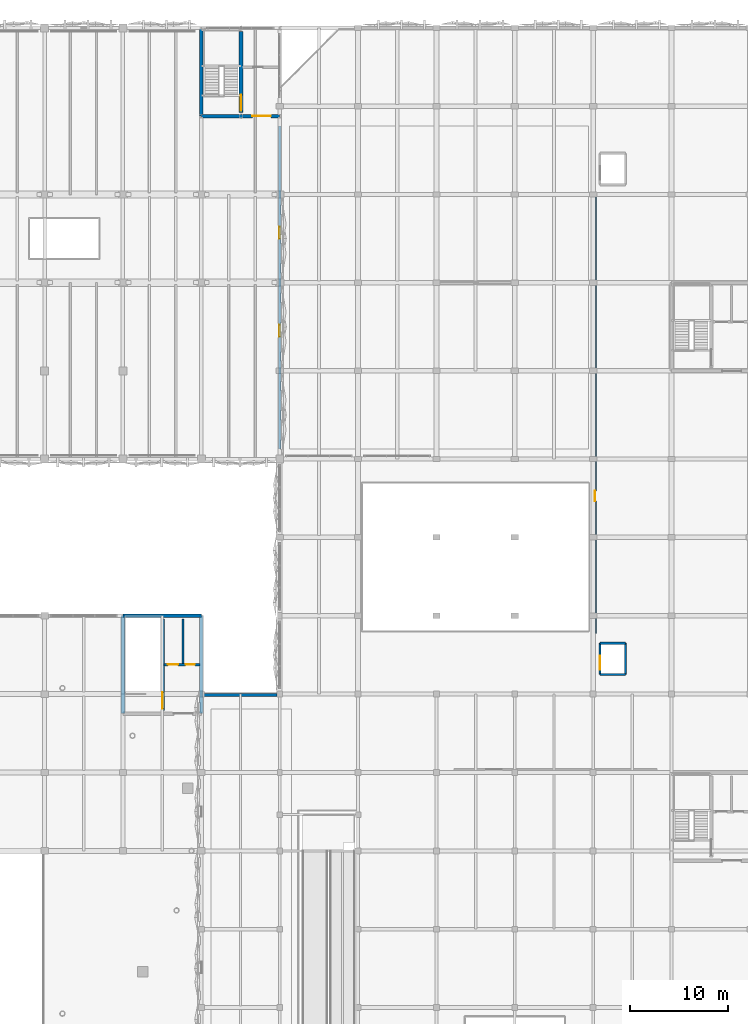
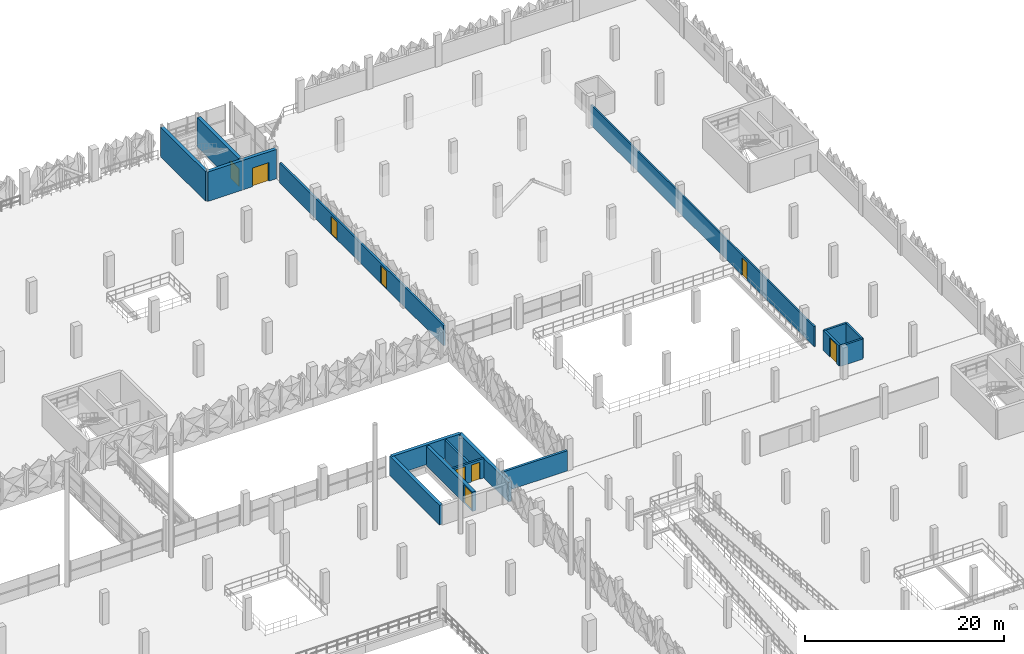
# One storey, part 78 of 123: 16 walls, 9 doors, 9 openings.
"""IFC4 building model written with IfcOpenShell, lengths in metres."""

import ifcopenshell
import ifcopenshell.guid

model = None  # the IFC model being written
_history = None  # IfcOwnerHistory: only IFC2X3 demands one
_inside = {}  # id of a spatial element -> (the spatial element, [elements in it])
_under = {}  # id of a project, library or spatial element -> (it, [spatial elements below it])
_declared = {}  # id of a project -> (the project, [libraries it declares])
_typed = {}  # id of a type object -> (the type object, [elements of that type])
_made_of = {}  # id of a material, layer set ... -> (it, [elements and type objects made of it])


def new_model(schema):
    """Start an empty IFC model of exactly this schema.

    Asked for "IFC4X3", IfcOpenShell would pick the latest addendum, in which some entities
    have other attributes; the version numbers below select the first issue.
    IFC2X3 requires an IfcOwnerHistory on every rooted entity: one is made here for all.
    """
    global model, _history
    if schema == "IFC4X3":
        model = ifcopenshell.file(schema_version=(4, 3, 0, 0))
    else:
        model = ifcopenshell.file(schema=schema)
    _inside.clear()
    _under.clear()
    _declared.clear()
    _typed.clear()
    _made_of.clear()
    _history = None
    if model.schema == "IFC2X3":
        org = make("IfcOrganization", Name="unknown")
        user = make(
            "IfcPersonAndOrganization",
            ThePerson=make("IfcPerson", FamilyName="unknown"),
            TheOrganization=org,
        )
        app = make(
            "IfcApplication",
            ApplicationDeveloper=org,
            Version="unknown",
            ApplicationFullName="unknown",
            ApplicationIdentifier="unknown",
        )
        _history = make(
            "IfcOwnerHistory",
            OwningUser=user,
            OwningApplication=app,
            ChangeAction="ADDED",
            CreationDate=0,
        )
    return model


def make(cls, **values):
    """One entity of the class cls with the attributes given. An attribute that is None is left unset."""
    return model.create_entity(
        cls, **{name: value for name, value in values.items() if value is not None}
    )


def rooted(cls, **values):
    """An entity with a GlobalId (a new one), such as an element, a storey or a relation."""
    return make(cls, GlobalId=ifcopenshell.guid.new(), OwnerHistory=_history, **values)


def si_unit(unit_type, name, prefix=None):
    """IfcSIUnit, for example si_unit("LENGTHUNIT", "METRE", prefix="MILLI")."""
    return make("IfcSIUnit", UnitType=unit_type, Prefix=prefix, Name=name)


def derived_unit(unit_type, elements):
    """IfcDerivedUnit: a product of units, each with its exponent."""
    return make(
        "IfcDerivedUnit",
        Elements=[
            make("IfcDerivedUnitElement", Unit=unit, Exponent=power)
            for unit, power in elements
        ],
        UnitType=unit_type,
    )


def assignment(units):
    """IfcUnitAssignment: the units of a project."""
    return None if units is None else make("IfcUnitAssignment", Units=units)


def point(xyz):
    """IfcCartesianPoint."""
    return None if xyz is None else make("IfcCartesianPoint", Coordinates=xyz)


def direction(xyz):
    """IfcDirection."""
    return None if xyz is None else make("IfcDirection", DirectionRatios=xyz)


def frame(location, z_axis=None, x_axis=None):
    """IfcAxis2Placement3D, a coordinate frame: its origin and axes. An axis left out is left unset."""
    return make(
        "IfcAxis2Placement3D",
        Location=point(location),
        Axis=direction(z_axis),
        RefDirection=direction(x_axis),
    )


def frame_2d(location, x_axis=None):
    """IfcAxis2Placement2D, a coordinate frame in the plane: its origin and x axis."""
    return make(
        "IfcAxis2Placement2D", Location=point(location), RefDirection=direction(x_axis)
    )


def origin():
    """The frame at (0, 0, 0) with its axes left unset."""
    return frame((0.0, 0.0, 0.0))


def place(relative_to, where):
    """IfcLocalPlacement: puts the frame where relative to a parent placement (None: the world)."""
    return make(
        "IfcLocalPlacement", PlacementRelTo=relative_to, RelativePlacement=where
    )


def context(
    kind, dimensions, precision=None, world=None, true_north=None, identifier=None
):
    """IfcGeometricRepresentationContext, for example the 3D "Model" context."""
    return make(
        "IfcGeometricRepresentationContext",
        ContextIdentifier=identifier,
        ContextType=kind,
        CoordinateSpaceDimension=dimensions,
        Precision=precision,
        WorldCoordinateSystem=world,
        TrueNorth=true_north,
    )


def subcontext(parent, identifier, kind, view, scale=None):
    """IfcGeometricRepresentationSubContext, for example "Body" below "Model"."""
    return make(
        "IfcGeometricRepresentationSubContext",
        ContextIdentifier=identifier,
        ContextType=kind,
        ParentContext=parent,
        TargetScale=scale,
        TargetView=view,
    )


def project(units=None, contexts=None):
    """IfcProject with its units and contexts."""
    return rooted(
        "IfcProject",
        Name="project",
        RepresentationContexts=contexts,
        UnitsInContext=assignment(units),
    )


def spatial(cls, under=None, at=None, **own):
    """A site, building, storey or space (cls), placed at a placement, below another one or the project."""
    s = rooted(cls, ObjectPlacement=at, **own)
    if under is not None:
        _under.setdefault(under.id(), (under, []))[1].append(s)
    return s


def profile(cls, at=None, kind="AREA", **sizes):
    """A parametric profile (cls). Its sizes go by their IFC names, for example OverallWidth=200.0."""
    return make(cls, ProfileType=kind, Position=at, **sizes)


def rectangle(**sizes):
    """IfcRectangleProfileDef."""
    return profile("IfcRectangleProfileDef", **sizes)


def extrude(swept, where, along, depth):
    """IfcExtrudedAreaSolid: the profile swept, set in the frame where, extruded along a direction by depth."""
    return make(
        "IfcExtrudedAreaSolid",
        SweptArea=swept,
        Position=where,
        ExtrudedDirection=direction(along),
        Depth=depth,
    )


def shape(context_of_items, identifier, shape_type, items):
    """IfcShapeRepresentation: the items that make up one representation, for example the "Body"."""
    return make(
        "IfcShapeRepresentation",
        ContextOfItems=context_of_items,
        RepresentationIdentifier=identifier,
        RepresentationType=shape_type,
        Items=items,
    )


def material(Name=None, Category=None):
    """IfcMaterial."""
    return make("IfcMaterial", Name=Name, Category=Category)


def layer(
    of_material, thickness, ventilated=None, Name=None, Category=None, Priority=None
):
    """IfcMaterialLayer: one layer of a wall or slab, of a material (None: an air gap)."""
    return make(
        "IfcMaterialLayer",
        Material=of_material,
        LayerThickness=thickness,
        IsVentilated=ventilated,
        Name=Name,
        Category=Category,
        Priority=Priority,
    )


def layer_set(layers, Name=None):
    """IfcMaterialLayerSet."""
    return make("IfcMaterialLayerSet", MaterialLayers=layers, LayerSetName=Name)


def made_of(thing, what):
    """Note that an element or type object is made of a material, layer set ...; save() writes the relation."""
    if what is not None:
        _made_of.setdefault(what.id(), (what, []))[1].append(thing)
    return thing


def type_object(cls, material=None, **own):
    """A type object (cls), such as IfcWallType, which elements share."""
    return made_of(rooted(cls, **own), material)


def element(
    cls,
    number,
    at=None,
    inside=None,
    cuts=None,
    type_object=None,
    material=None,
    context=None,
    identifier="Body",
    shape_type=None,
    held_by="IfcProductDefinitionShape",
    body=None,
    shapes=None,
    **own,
):
    """One element of the class cls, such as IfcWall. Its Tag is "e" and its number.

    at: its placement. inside: the storey or other place that contains it. cuts: it is an
    opening in that element (IfcRelVoidsElement). A single representation is given by context,
    identifier, shape_type and body (its items); several are given by shapes. held_by: the class
    of the entity that holds the representations. save() writes the other relations.
    """
    e = rooted(cls, Tag="e%d" % number, ObjectPlacement=at, **own)
    if body is not None:
        shapes = [shape(context, identifier, shape_type, body)]
    if shapes is not None:
        e.Representation = make(held_by, Representations=shapes)
    if inside is not None:
        _inside.setdefault(inside.id(), (inside, []))[1].append(e)
    if cuts is not None:
        rooted(
            "IfcRelVoidsElement", RelatingBuildingElement=cuts, RelatedOpeningElement=e
        )
    if type_object is not None:
        _typed.setdefault(type_object.id(), (type_object, []))[1].append(e)
    return made_of(e, material)


def fill(opening, filler):
    """IfcRelFillsElement: the door or window that sits in an opening."""
    return rooted(
        "IfcRelFillsElement",
        RelatingOpeningElement=opening,
        RelatedBuildingElement=filler,
    )


def aggregate(whole, parts):
    """IfcRelAggregates: a whole, such as a stair, and the parts it consists of."""
    return rooted("IfcRelAggregates", RelatingObject=whole, RelatedObjects=parts)


def save(model, path):
    """Write the relations noted so far, then the file.

    IfcRelAggregates (storeys below a building ...), IfcRelContainedInSpatialStructure (elements
    in a storey), IfcRelDefinesByType, IfcRelAssociatesMaterial and IfcRelDeclares: one each for
    every whole, place, type object, material and project.
    """
    for whole, parts in _under.values():
        aggregate(whole, parts)
    for where, things in _inside.values():
        rooted(
            "IfcRelContainedInSpatialStructure",
            RelatedElements=things,
            RelatingStructure=where,
        )
    for kind, things in _typed.values():
        rooted("IfcRelDefinesByType", RelatedObjects=things, RelatingType=kind)
    for what, things in _made_of.values():
        rooted("IfcRelAssociatesMaterial", RelatedObjects=things, RelatingMaterial=what)
    for by, libraries in _declared.values():
        rooted("IfcRelDeclares", RelatingContext=by, RelatedDefinitions=libraries)
    model.write(path)


model = new_model("IFC4")

# Units and contexts
model_context = context("Model", 3, precision=1e-05, world=origin(), true_north=direction((0.0, 1.0)))
body_context = subcontext(model_context, "Body", "Model", "MODEL_VIEW")
ifc_project = project(units=[si_unit("LENGTHUNIT", "METRE"), si_unit("AREAUNIT", "SQUARE_METRE"), si_unit("VOLUMEUNIT", "CUBIC_METRE"), si_unit("PLANEANGLEUNIT", "RADIAN"), si_unit("MASSUNIT", "GRAM", prefix="KILO"), si_unit("THERMODYNAMICTEMPERATUREUNIT", "KELVIN"), derived_unit("THERMALTRANSMITTANCEUNIT", [(si_unit("POWERUNIT", "WATT"), 1), (si_unit("AREAUNIT", "SQUARE_METRE"), -1), (si_unit("THERMODYNAMICTEMPERATUREUNIT", "KELVIN"), -1)])], contexts=[model_context])

# Site, building, storey
site_placement = place(None, origin())
site = spatial("IfcSite", under=ifc_project, at=site_placement, CompositionType="ELEMENT")
building_placement = place(site_placement, origin())
building = spatial("IfcBuilding", under=site, at=building_placement, Name="Haiyu Intermodal Mobility Hub", CompositionType="ELEMENT")
storey_placement = place(building_placement, frame((0.0, 0.0, 5.60009765625)))
storey = spatial("IfcBuildingStorey", under=building, at=storey_placement, Name="L01", CompositionType="ELEMENT", Elevation=5.60009765625)

# Walls
ifc_material_1 = material(Name="Anodised aluminium 6063-T6", Category="aluminium")
ifc_layer_1 = layer(ifc_material_1, 0.280029296875)
ifc_layer_set_1 = layer_set([ifc_layer_1], Name="Anodised aluminium 6063-T6")
wall_type_1 = type_object("IfcWallType", Name="WAL-WE02", PredefinedType="STANDARD", material=ifc_layer_set_1)
wall_1_placement = place(storey_placement, frame((161.715087890625, 79.89990234375, 0.0), z_axis=(0.0, 0.0, 1.0), x_axis=(-1.0, 0.0, 0.0)))
element("IfcWall", 1, at=wall_1_placement, inside=storey, type_object=wall_type_1, Name="WAL-V5NC-L01-154", PredefinedType="STANDARD", context=body_context, shape_type="SweptSolid", body=[
    extrude(rectangle(XDim=7.5751953125, YDim=0.280029296875, at=frame_2d((3.78759765625, 0.0))), origin(), (0.0, 0.0, 1.0), 2.47998046875),
])
ifc_material_2 = material(Name="Autoclaved aerated concrete block A5.0", Category="concrete")
ifc_layer_2 = layer(ifc_material_2, 0.22998046875)
ifc_layer_set_2 = layer_set([ifc_layer_2], Name="Autoclaved aerated concrete block A5.0")
wall_type_2 = type_object("IfcWallType", Name="WAL-WI01", PredefinedType="PARTITIONING", material=ifc_layer_set_2)
wall_2_placement = place(storey_placement, frame((152.1298828125, 83.0, 0.0), z_axis=(0.0, 0.0, 1.0), x_axis=(0.0, 1.0, 0.0)))
element("IfcWall", 2, at=wall_2_placement, inside=storey, type_object=wall_type_2, Name="WAL-CORE-C2-LSH-L01", PredefinedType="PARTITIONING", context=body_context, shape_type="SweptSolid", body=[
    extrude(rectangle(XDim=4.64990234375, YDim=0.22998046875, at=frame_2d((2.324951171875, 0.0))), origin(), (0.0, 0.0, 1.0), 2.39990234375),
])

# Wall, openings, doors
wall_3_placement = place(storey_placement, frame((150.2099609375, 83.0, 0.0), z_axis=(0.0, 0.0, 1.0), x_axis=(1.0, 0.0, 0.0)))
wall_3 = element("IfcWall", 3, at=wall_3_placement, inside=storey, type_object=wall_type_2, Name="WAL-CORE-C2-LFT-L01", PredefinedType="PARTITIONING", context=body_context, shape_type="SweptSolid", body=[
    extrude(rectangle(XDim=3.630126953125, YDim=0.22998046875, at=frame_2d((1.81494140625, 0.0))), origin(), (0.0, 0.0, 1.0), 2.39990234375),
])
opening_1_placement = place(wall_3_placement, frame((0.3798828125, 0.0, 0.0)))
opening_1 = element("IfcOpeningElement", 4, at=opening_1_placement, cuts=wall_3, Name="Opening LD02", PredefinedType="OPENING", context=body_context, shape_type="SweptSolid", body=[
    extrude(rectangle(XDim=1.050048828125, YDim=2.14990234375, at=frame_2d((0.52490234375, 1.074951171875))), frame((0.0, 0.125, 0.0), z_axis=(0.0, -1.0, 0.0), x_axis=(1.0, 0.0, 0.0)), (0.0, 0.0, 1.0), 0.25),
])
opening_2_placement = place(wall_3_placement, frame((2.179931640625, 0.0, 0.0)))
opening_2 = element("IfcOpeningElement", 5, at=opening_2_placement, cuts=wall_3, Name="Opening DI07", PredefinedType="OPENING", context=body_context, shape_type="SweptSolid", body=[
    extrude(rectangle(XDim=0.949951171875, YDim=2.10009765625, at=frame_2d((0.47509765625, 1.050048828125))), frame((0.0, 0.125, 0.0), z_axis=(0.0, -1.0, 0.0), x_axis=(1.0, 0.0, 0.0)), (0.0, 0.0, 1.0), 0.25),
])
ifc_material_3 = material(Name="Steel Q355C", Category="steel")
door_type_1 = type_object("IfcDoorType", Name="DR-DI07", OperationType="NOTDEFINED", PredefinedType="DOOR", material=ifc_material_3)
door_1_placement = place(opening_2_placement, origin())
door_1 = element("IfcDoor", 6, at=door_1_placement, inside=storey, type_object=door_type_1, Name="Core C2 Accessible WC Door L01", OperationType="SINGLE_SWING_RIGHT", OverallHeight=2.10009765625, OverallWidth=0.949951171875, PredefinedType="DOOR", context=body_context, shape_type="SweptSolid", body=[
    extrude(rectangle(XDim=0.949951171875, YDim=2.10009765625, at=frame_2d((0.47509765625, 1.050048828125))), frame((0.0, 0.02490234375, 0.0), z_axis=(0.0, -1.0, 0.0), x_axis=(1.0, 0.0, 0.0)), (0.0, 0.0, 1.0), 0.050048828125),
])
fill(opening_2, door_1)
door_type_2 = type_object("IfcDoorType", Name="DR-LD02", OperationType="DOUBLE_DOOR_SLIDING", PredefinedType="DOOR", material=ifc_material_3)
door_2_placement = place(opening_1_placement, origin())
door_2 = element("IfcDoor", 7, at=door_2_placement, inside=storey, type_object=door_type_2, Name="Lift PL-01 Sliding Landing Door L01", OperationType="SLIDING_TO_LEFT", OverallHeight=2.14990234375, OverallWidth=1.050048828125, PredefinedType="DOOR", context=body_context, shape_type="SweptSolid", body=[
    extrude(rectangle(XDim=1.050048828125, YDim=2.14990234375, at=frame_2d((0.52490234375, 1.074951171875))), frame((0.0, 0.02490234375, 0.0), z_axis=(0.0, -1.0, 0.0), x_axis=(1.0, 0.0, 0.0)), (0.0, 0.0, 1.0), 0.050048828125),
])
fill(opening_1, door_2)

# Wall, opening, door
wall_4_placement = place(storey_placement, frame((194.699951171875, 82.0, 0.0), z_axis=(0.0, 0.0, 1.0), x_axis=(0.0, 1.0, 0.0)))
wall_4 = element("IfcWall", 8, at=wall_4_placement, inside=storey, type_object=wall_type_2, Name="WAL-GL-01-W-L01", PredefinedType="PARTITIONING", context=body_context, shape_type="SweptSolid", body=[
    extrude(rectangle(XDim=3.199951171875, YDim=0.22998046875, at=frame_2d((1.60009765625, 0.0))), origin(), (0.0, 0.0, 1.0), 2.47998046875),
])
opening_3_placement = place(wall_4_placement, frame((0.5, 0.0, 0.0)))
opening_3 = element("IfcOpeningElement", 9, at=opening_3_placement, cuts=wall_4, Name="Opening LD03", PredefinedType="OPENING", context=body_context, shape_type="SweptSolid", body=[
    extrude(rectangle(XDim=1.39990234375, YDim=2.300048828125, at=frame_2d((0.699951171875, 1.14990234375))), frame((0.0, 0.125, 0.0), z_axis=(0.0, -1.0, 0.0), x_axis=(1.0, 0.0, 0.0)), (0.0, 0.0, 1.0), 0.25),
])
door_type_3 = type_object("IfcDoorType", Name="DR-LD03", OperationType="DOUBLE_DOOR_SLIDING", PredefinedType="DOOR", material=ifc_material_3)
door_3_placement = place(opening_3_placement, origin())
door_3 = element("IfcDoor", 10, at=door_3_placement, inside=storey, type_object=door_type_3, Name="Goods Lift GL-01 Sliding Door L01", OperationType="SLIDING_TO_RIGHT", OverallHeight=2.300048828125, OverallWidth=1.39990234375, PredefinedType="DOOR", context=body_context, shape_type="SweptSolid", body=[
    extrude(rectangle(XDim=1.39990234375, YDim=2.300048828125, at=frame_2d((0.699951171875, 1.14990234375))), frame((0.0, 0.02490234375, 0.0), z_axis=(0.0, -1.0, 0.0), x_axis=(1.0, 0.0, 0.0)), (0.0, 0.0, 1.0), 0.050048828125),
])
fill(opening_3, door_3)

# Walls
wall_5_placement = place(storey_placement, frame((194.699951171875, 85.199951171875, 0.0), z_axis=(0.0, 0.0, 1.0), x_axis=(1.0, 0.0, 0.0)))
element("IfcWall", 11, at=wall_5_placement, inside=storey, type_object=wall_type_2, Name="WAL-GL-01-N-L01", PredefinedType="PARTITIONING", context=body_context, shape_type="SweptSolid", body=[
    extrude(rectangle(XDim=2.60009765625, YDim=0.22998046875, at=frame_2d((1.300048828125, 0.0))), origin(), (0.0, 0.0, 1.0), 2.47998046875),
])
wall_6_placement = place(storey_placement, frame((197.300048828125, 85.199951171875, 0.0), z_axis=(0.0, 0.0, 1.0), x_axis=(0.0, -1.0, 0.0)))
element("IfcWall", 12, at=wall_6_placement, inside=storey, type_object=wall_type_2, Name="WAL-GL-01-E-L01", PredefinedType="PARTITIONING", context=body_context, shape_type="SweptSolid", body=[
    extrude(rectangle(XDim=3.199951171875, YDim=0.22998046875, at=frame_2d((1.60009765625, 0.0))), origin(), (0.0, 0.0, 1.0), 2.47998046875),
])
wall_7_placement = place(storey_placement, frame((197.300048828125, 82.0, 0.0), z_axis=(0.0, 0.0, 1.0), x_axis=(-1.0, 0.0, 0.0)))
element("IfcWall", 13, at=wall_7_placement, inside=storey, type_object=wall_type_2, Name="WAL-GL-01-S-L01", PredefinedType="PARTITIONING", context=body_context, shape_type="SweptSolid", body=[
    extrude(rectangle(XDim=2.60009765625, YDim=0.22998046875, at=frame_2d((1.300048828125, 0.0))), origin(), (0.0, 0.0, 1.0), 2.47998046875),
])

# Wall, openings, doors
wall_8_placement = place(storey_placement, frame((162.0, 105.0, 0.0), z_axis=(0.0, 0.0, 1.0), x_axis=(0.0, 1.0, 0.0)))
wall_8 = element("IfcWall", 14, at=wall_8_placement, inside=storey, type_object=wall_type_2, Name="WAL-INT-0014", PredefinedType="PARTITIONING", context=body_context, shape_type="SweptSolid", body=[
    extrude(rectangle(XDim=33.0, YDim=0.22998046875, at=frame_2d((16.5, 0.0))), origin(), (0.0, 0.0, 1.0), 2.47998046875),
])
opening_4_placement = place(wall_8_placement, frame((11.5, 0.0, 0.0)))
opening_4 = element("IfcOpeningElement", 15, at=opening_4_placement, cuts=wall_8, Name="Opening DI03", PredefinedType="OPENING", context=body_context, shape_type="SweptSolid", body=[
    extrude(rectangle(XDim=1.199951171875, YDim=2.199951171875, at=frame_2d((0.60009765625, 1.10009765625))), frame((0.0, 0.125, 0.0), z_axis=(0.0, -1.0, 0.0), x_axis=(1.0, 0.0, 0.0)), (0.0, 0.0, 1.0), 0.25),
])
opening_5_placement = place(wall_8_placement, frame((21.5, 0.0, 0.0)))
opening_5 = element("IfcOpeningElement", 16, at=opening_5_placement, cuts=wall_8, Name="Opening DI03", PredefinedType="OPENING", context=body_context, shape_type="SweptSolid", body=[
    extrude(rectangle(XDim=1.199951171875, YDim=2.199951171875, at=frame_2d((0.60009765625, 1.10009765625))), frame((0.0, 0.125, 0.0), z_axis=(0.0, -1.0, 0.0), x_axis=(1.0, 0.0, 0.0)), (0.0, 0.0, 1.0), 0.25),
])
door_type_4 = type_object("IfcDoorType", Name="DR-DI03", OperationType="NOTDEFINED", PredefinedType="DOOR", material=ifc_material_3)
door_4_placement = place(opening_4_placement, origin())
door_4 = element("IfcDoor", 17, at=door_4_placement, inside=storey, type_object=door_type_4, Name="Parking-Service Fire Door L01-A", OperationType="DOUBLE_SWING_LEFT", OverallHeight=2.199951171875, OverallWidth=1.199951171875, PredefinedType="DOOR", context=body_context, shape_type="SweptSolid", body=[
    extrude(rectangle(XDim=1.199951171875, YDim=2.199951171875, at=frame_2d((0.60009765625, 1.10009765625))), frame((0.0, 0.02490234375, 0.0), z_axis=(0.0, -1.0, 0.0), x_axis=(1.0, 0.0, 0.0)), (0.0, 0.0, 1.0), 0.050048828125),
])
fill(opening_4, door_4)
door_5_placement = place(opening_5_placement, origin())
door_5 = element("IfcDoor", 18, at=door_5_placement, inside=storey, type_object=door_type_4, Name="Parking-Service Fire Door L01-B", OperationType="DOUBLE_SWING_RIGHT", OverallHeight=2.199951171875, OverallWidth=1.199951171875, PredefinedType="DOOR", context=body_context, shape_type="SweptSolid", body=[
    extrude(rectangle(XDim=1.199951171875, YDim=2.199951171875, at=frame_2d((0.60009765625, 1.10009765625))), frame((0.0, 0.02490234375, 0.0), z_axis=(0.0, -1.0, 0.0), x_axis=(1.0, 0.0, 0.0)), (0.0, 0.0, 1.0), 0.050048828125),
])
fill(opening_5, door_5)

# Wall, opening, door
ifc_layer_3 = layer(ifc_material_2, 0.179931640625)
ifc_layer_set_3 = layer_set([ifc_layer_3], Name="Autoclaved aerated concrete block A5.0")
wall_type_3 = type_object("IfcWallType", Name="WAL-WI03", PredefinedType="PARTITIONING", material=ifc_layer_set_3)
wall_9_placement = place(storey_placement, frame((194.199951171875, 86.199951171875, 0.0), z_axis=(0.0, 0.0, 1.0), x_axis=(0.0, 1.0, 0.0)))
wall_9 = element("IfcWall", 19, at=wall_9_placement, inside=storey, type_object=wall_type_3, Name="WAL-INT-0030", PredefinedType="PARTITIONING", context=body_context, shape_type="SweptSolid", body=[
    extrude(rectangle(XDim=45.0, YDim=0.179931640625, at=frame_2d((22.5, 0.0))), origin(), (0.0, 0.0, 1.0), 2.47998046875),
])
opening_6_placement = place(wall_9_placement, frame((13.5, 0.0, 0.0)))
opening_6 = element("IfcOpeningElement", 20, at=opening_6_placement, cuts=wall_9, Name="Opening DI06", PredefinedType="OPENING", context=body_context, shape_type="SweptSolid", body=[
    extrude(rectangle(XDim=1.050048828125, YDim=2.14990234375, at=frame_2d((0.52490234375, 1.074951171875))), frame((0.0, 0.10009765625, 0.0), z_axis=(0.0, -1.0, 0.0), x_axis=(1.0, 0.0, 0.0)), (0.0, 0.0, 1.0), 0.199951171875),
])
door_type_5 = type_object("IfcDoorType", Name="DR-DI06", OperationType="NOTDEFINED", PredefinedType="DOOR", material=ifc_material_3)
door_6_placement = place(opening_6_placement, origin())
door_6 = element("IfcDoor", 21, at=door_6_placement, inside=storey, type_object=door_type_5, Name="Technician Locker Door", OperationType="SINGLE_SWING_LEFT", OverallHeight=2.14990234375, OverallWidth=1.050048828125, PredefinedType="DOOR", context=body_context, shape_type="SweptSolid", body=[
    extrude(rectangle(XDim=1.050048828125, YDim=2.14990234375, at=frame_2d((0.52490234375, 1.074951171875))), frame((0.0, 0.02490234375, 0.0), z_axis=(0.0, -1.0, 0.0), x_axis=(1.0, 0.0, 0.0)), (0.0, 0.0, 1.0), 0.050048828125),
])
fill(opening_6, door_6)

# Walls
ifc_material_4 = material(Name="Concrete C40", Category="concrete")
ifc_layer_4 = layer(ifc_material_4, 0.3798828125)
ifc_layer_set_4 = layer_set([ifc_layer_4], Name="Concrete C40")
wall_type_4 = type_object("IfcWallType", Name="WAL-WS03", PredefinedType="SHEAR", material=ifc_layer_set_4)
wall_10_placement = place(storey_placement, frame((154.0, 78.0, 0.0), z_axis=(0.0, 0.0, 1.0), x_axis=(0.0, 1.0, 0.0)))
element("IfcWall", 22, at=wall_10_placement, inside=storey, type_object=wall_type_4, Name="WAL-CORE-C2-E-L01", PredefinedType="SHEAR", context=body_context, shape_type="SweptSolid", body=[
    extrude(rectangle(XDim=10.0, YDim=0.3798828125, at=frame_2d((5.0, 0.0))), origin(), (0.0, 0.0, 1.0), 2.39990234375),
])
wall_11_placement = place(storey_placement, frame((154.0, 88.0, 0.0), z_axis=(0.0, 0.0, 1.0), x_axis=(-1.0, 0.0, 0.0)))
element("IfcWall", 23, at=wall_11_placement, inside=storey, type_object=wall_type_4, Name="WAL-CORE-C2-N-L01", PredefinedType="SHEAR", context=body_context, shape_type="SweptSolid", body=[
    extrude(rectangle(XDim=8.0, YDim=0.3798828125, at=frame_2d((4.0, 0.0))), origin(), (0.0, 0.0, 1.0), 2.39990234375),
])
wall_12_placement = place(storey_placement, frame((146.0, 88.0, 0.0), z_axis=(0.0, 0.0, 1.0), x_axis=(0.0, -1.0, 0.0)))
element("IfcWall", 24, at=wall_12_placement, inside=storey, type_object=wall_type_4, Name="WAL-CORE-C2-W-L01", PredefinedType="SHEAR", context=body_context, shape_type="SweptSolid", body=[
    extrude(rectangle(XDim=10.0, YDim=0.3798828125, at=frame_2d((5.0, 0.0))), origin(), (0.0, 0.0, 1.0), 2.39990234375),
])

# Wall, opening, door
wall_13_placement = place(storey_placement, frame((150.050048828125, 78.35009765625, 0.0), z_axis=(0.0, 0.0, 1.0), x_axis=(0.0, 1.0, 0.0)))
wall_13 = element("IfcWall", 25, at=wall_13_placement, inside=storey, type_object=wall_type_4, Name="WAL-CORE-C2-MID-L01", PredefinedType="SHEAR", context=body_context, shape_type="SweptSolid", body=[
    extrude(rectangle(XDim=9.2998046875, YDim=0.3798828125, at=frame_2d((4.64990234375, 0.0))), origin(), (0.0, 0.0, 1.0), 2.39990234375),
])
opening_7_placement = place(wall_13_placement, frame((0.179931640625, 0.0, 0.0)))
opening_7 = element("IfcOpeningElement", 26, at=opening_7_placement, cuts=wall_13, Name="Opening DI02", PredefinedType="OPENING", context=body_context, shape_type="SweptSolid", body=[
    extrude(rectangle(XDim=1.64990234375, YDim=2.199951171875, at=frame_2d((0.824951171875, 1.10009765625))), frame((0.0, 0.199951171875, 0.0), z_axis=(0.0, -1.0, 0.0), x_axis=(1.0, 0.0, 0.0)), (0.0, 0.0, 1.0), 0.39990234375),
])
door_type_6 = type_object("IfcDoorType", Name="DR-DI02", OperationType="DOUBLE_DOOR_SINGLE_SWING", PredefinedType="DOOR", material=ifc_material_3)
door_7_placement = place(opening_7_placement, origin())
door_7 = element("IfcDoor", 27, at=door_7_placement, inside=storey, type_object=door_type_6, Name="Stair ST01 Fire Door L01", OperationType="SINGLE_SWING_LEFT", OverallHeight=2.199951171875, OverallWidth=1.64990234375, PredefinedType="DOOR", context=body_context, shape_type="SweptSolid", body=[
    extrude(rectangle(XDim=1.64990234375, YDim=2.199951171875, at=frame_2d((0.824951171875, 1.10009765625))), frame((0.0, 0.02490234375, 0.0), z_axis=(0.0, -1.0, 0.0), x_axis=(1.0, 0.0, 0.0)), (0.0, 0.0, 1.0), 0.050048828125),
])
fill(opening_7, door_7)

wall_14_placement = place(storey_placement, frame((154.0, 139.0, 0.0), z_axis=(0.0, 0.0, 1.0), x_axis=(1.0, 0.0, 0.0)))
wall_14 = element("IfcWall", 28, at=wall_14_placement, inside=storey, type_object=wall_type_4, Name="WAL-CORE-C4-S-L01", PredefinedType="SHEAR", context=body_context, shape_type="SweptSolid", body=[
    extrude(rectangle(XDim=8.0, YDim=0.3798828125, at=frame_2d((4.0, 0.0))), origin(), (0.0, 0.0, 1.0), 3.619873046875),
])
opening_8_placement = place(wall_14_placement, frame((5.199951171875, 0.0, 0.0)))
opening_8 = element("IfcOpeningElement", 29, at=opening_8_placement, cuts=wall_14, Name="Opening DI01", PredefinedType="OPENING", context=body_context, shape_type="SweptSolid", body=[
    extrude(rectangle(XDim=1.89990234375, YDim=2.300048828125, at=frame_2d((0.949951171875, 1.14990234375))), frame((0.0, 0.199951171875, 0.0), z_axis=(0.0, -1.0, 0.0), x_axis=(1.0, 0.0, 0.0)), (0.0, 0.0, 1.0), 0.39990234375),
])
door_type_7 = type_object("IfcDoorType", Name="DR-DI01", OperationType="DOUBLE_DOOR_SINGLE_SWING", PredefinedType="DOOR", material=ifc_material_3)
door_8_placement = place(opening_8_placement, origin())
door_8 = element("IfcDoor", 30, at=door_8_placement, inside=storey, type_object=door_type_7, Name="Core C4 Lobby Fire Door L01", OperationType="SINGLE_SWING_LEFT", OverallHeight=2.300048828125, OverallWidth=1.89990234375, PredefinedType="DOOR", context=body_context, shape_type="SweptSolid", body=[
    extrude(rectangle(XDim=1.89990234375, YDim=2.300048828125, at=frame_2d((0.949951171875, 1.14990234375))), frame((0.0, 0.02490234375, 0.0), z_axis=(0.0, -1.0, 0.0), x_axis=(1.0, 0.0, 0.0)), (0.0, 0.0, 1.0), 0.050048828125),
])
fill(opening_8, door_8)

# Wall
wall_15_placement = place(storey_placement, frame((154.0, 148.0, 0.0), z_axis=(0.0, 0.0, 1.0), x_axis=(0.0, -1.0, 0.0)))
element("IfcWall", 31, at=wall_15_placement, inside=storey, type_object=wall_type_4, Name="WAL-CORE-C4-W-L01", PredefinedType="SHEAR", context=body_context, shape_type="SweptSolid", body=[
    extrude(rectangle(XDim=9.0, YDim=0.3798828125, at=frame_2d((4.5, 0.0))), origin(), (0.0, 0.0, 1.0), 3.619873046875),
])

# Wall, opening, door
wall_16_placement = place(storey_placement, frame((158.050048828125, 139.35009765625, 0.0), z_axis=(0.0, 0.0, 1.0), x_axis=(0.0, 1.0, 0.0)))
wall_16 = element("IfcWall", 32, at=wall_16_placement, inside=storey, type_object=wall_type_4, Name="WAL-CORE-C4-MID-L01", PredefinedType="SHEAR", context=body_context, shape_type="SweptSolid", body=[
    extrude(rectangle(XDim=8.2998046875, YDim=0.3798828125, at=frame_2d((4.14990234375, 0.0))), origin(), (0.0, 0.0, 1.0), 3.619873046875),
])
opening_9_placement = place(wall_16_placement, frame((0.179931640625, 0.0, 0.0)))
opening_9 = element("IfcOpeningElement", 33, at=opening_9_placement, cuts=wall_16, Name="Opening DI02", PredefinedType="OPENING", context=body_context, shape_type="SweptSolid", body=[
    extrude(rectangle(XDim=1.64990234375, YDim=2.199951171875, at=frame_2d((0.824951171875, 1.10009765625))), frame((0.0, 0.199951171875, 0.0), z_axis=(0.0, -1.0, 0.0), x_axis=(1.0, 0.0, 0.0)), (0.0, 0.0, 1.0), 0.39990234375),
])
door_9_placement = place(opening_9_placement, origin())
door_9 = element("IfcDoor", 34, at=door_9_placement, inside=storey, type_object=door_type_6, Name="Stair ST02 Fire Door L01", OperationType="SINGLE_SWING_LEFT", OverallHeight=2.199951171875, OverallWidth=1.64990234375, PredefinedType="DOOR", context=body_context, shape_type="SweptSolid", body=[
    extrude(rectangle(XDim=1.64990234375, YDim=2.199951171875, at=frame_2d((0.824951171875, 1.10009765625))), frame((0.0, 0.02490234375, 0.0), z_axis=(0.0, -1.0, 0.0), x_axis=(1.0, 0.0, 0.0)), (0.0, 0.0, 1.0), 0.050048828125),
])
fill(opening_9, door_9)

save(model, "model.ifc")
